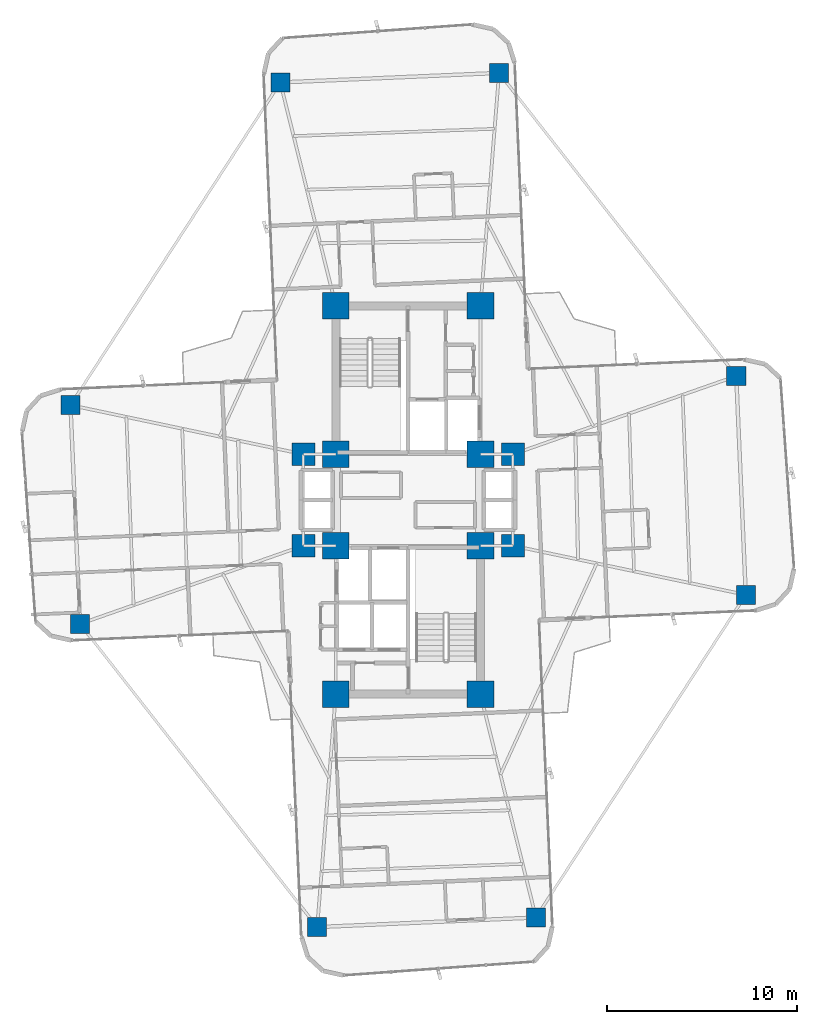
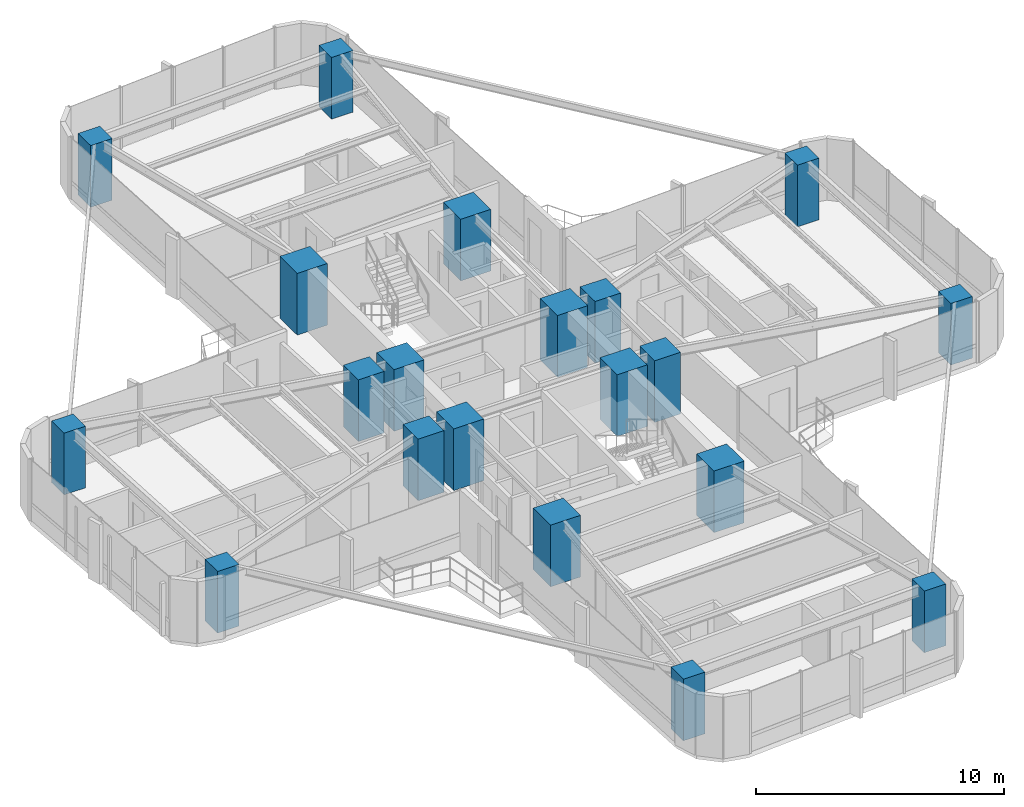
# One storey, part 1 of 26: 20 columns.
"""IFC4 building model written with IfcOpenShell, lengths in metres."""

from ifc_helpers import new_model, si_unit, direction, frame, origin, origin_2d, place, context, subcontext, project, spatial, rectangle, extrude, source, transform, mapped, material, material_profile, profile_set, type_object, element, save


model = new_model("IFC4")

# Units and contexts
model_context = context("Model", 3, precision=1e-05, world=origin(), true_north=direction((0.0, 1.0)))
body_context = subcontext(model_context, "Body", "Model", "MODEL_VIEW")
ifc_project = project(units=[si_unit("LENGTHUNIT", "METRE"), si_unit("AREAUNIT", "SQUARE_METRE"), si_unit("VOLUMEUNIT", "CUBIC_METRE"), si_unit("PLANEANGLEUNIT", "RADIAN"), si_unit("MASSUNIT", "GRAM", prefix="KILO")], contexts=[model_context])

# Site, building, storey
site_placement = place(None, origin())
site = spatial("IfcSite", under=ifc_project, at=site_placement, CompositionType="ELEMENT")
building_placement = place(site_placement, origin())
building = spatial("IfcBuilding", under=site, at=building_placement, Name="Sahyath Konkavel Grand Hotel", CompositionType="ELEMENT")
storey_placement = place(building_placement, frame((0.0, 0.0, 134.89990234375)))
storey = spatial("IfcBuildingStorey", under=building, at=storey_placement, Name="L37", CompositionType="ELEMENT", Elevation=134.89990234375)

# Columns
ifc_material_1 = material(Name="Concrete C70/85", Category="concrete")
ifc_material_profile_1 = material_profile(ifc_material_1, rectangle(XDim=1.39990234375, YDim=1.39990234375, at=origin_2d()), Name="RC 1400x1400")
ifc_profile_set_1 = profile_set([ifc_material_profile_1], Name="Concrete C70/85")
column_type_1 = type_object("IfcColumnType", Name="COL-RC1400", PredefinedType="COLUMN", material=ifc_profile_set_1)
shared_shape_1 = source(origin(), body_context, "Body", "SweptSolid", [
    extrude(rectangle(XDim=1.39990234375, YDim=1.39990234375, at=origin_2d()), origin(), (0.0, 0.0, 1.0), 3.030029296875),
])
for number, where, z_axis, x_axis, name in (
    (1, (-3.800048828125, 2.39990234375, 0.0), (0.0, 0.0, 1.0), (1.0, 0.0, 0.0), "L37 Core Boundary Column NC-SW"),
    (2, (3.800048828125, 2.39990234375, 0.0), (0.0, 0.0, 1.0), (1.0, 0.0, 0.0), "L37 Core Boundary Column NC-SE"),
    (3, (-3.800048828125, 10.199951171875, 0.0), (0.0, 0.0, 1.0), (1.0, 0.0, 0.0), "L37 Core Boundary Column NC-NW"),
    (4, (3.800048828125, 10.199951171875, 0.0), (0.0, 0.0, 1.0), (1.0, 0.0, 0.0), "L37 Core Boundary Column NC-NE"),
    (5, (-3.800048828125, -2.39990234375, 0.0), (0.0, 0.0, 1.0), (1.0, 0.0, 0.0), "L37 Core Boundary Column SC-NW"),
    (6, (3.800048828125, -2.39990234375, 0.0), (0.0, 0.0, 1.0), (1.0, 0.0, 0.0), "L37 Core Boundary Column SC-NE"),
    (7, (-3.800048828125, -10.199951171875, 0.0), (0.0, 0.0, 1.0), (1.0, 0.0, 0.0), "L37 Core Boundary Column SC-SW"),
    (8, (3.800048828125, -10.199951171875, 0.0), (0.0, 0.0, 1.0), (1.0, 0.0, 0.0), "L37 Core Boundary Column SC-SE"),
):
    element("IfcColumn", number, at=place(storey_placement, frame(where, z_axis=z_axis, x_axis=x_axis)), inside=storey, type_object=column_type_1, Name=name, PredefinedType="COLUMN", context=body_context, shape_type="MappedRepresentation", body=[
        mapped(shared_shape_1, transform((0.0, 0.0, 0.0), scale=1.0)),
    ])
ifc_material_2 = material(Name="Concrete C50/60", Category="concrete")
ifc_material_profile_2 = material_profile(ifc_material_2, rectangle(XDim=1.199951171875, YDim=1.199951171875, at=origin_2d()), Name="RC 1200x1200")
ifc_profile_set_2 = profile_set([ifc_material_profile_2], Name="Concrete C50/60")
column_type_2 = type_object("IfcColumnType", Name="COL-RC1200", PredefinedType="COLUMN", material=ifc_profile_set_2)
shared_shape_2 = source(origin(), body_context, "Body", "SweptSolid", [
    extrude(rectangle(XDim=1.199951171875, YDim=1.199951171875, at=origin_2d()), origin(), (0.0, 0.0, 1.0), 3.030029296875),
])
for number, where, z_axis, x_axis, name in (
    (9, (5.5, 2.39990234375, 0.0), (0.0, 0.0, 1.0), (1.0, 0.0, 0.0), "L37 Central Spine Column HB-NE"),
    (10, (-5.5, 2.39990234375, 0.0), (0.0, 0.0, 1.0), (1.0, 0.0, 0.0), "L37 Central Spine Column HB-NW"),
    (11, (5.5, -2.39990234375, 0.0), (0.0, 0.0, 1.0), (1.0, 0.0, 0.0), "L37 Central Spine Column HB-SE"),
    (12, (-5.5, -2.39990234375, 0.0), (0.0, 0.0, 1.0), (1.0, 0.0, 0.0), "L37 Central Spine Column HB-SW"),
):
    element("IfcColumn", number, at=place(storey_placement, frame(where, z_axis=z_axis, x_axis=x_axis)), inside=storey, type_object=column_type_2, Name=name, PredefinedType="COLUMN", context=body_context, shape_type="MappedRepresentation", body=[
        mapped(shared_shape_2, transform((0.0, 0.0, 0.0), scale=1.0)),
    ])
ifc_material_profile_3 = material_profile(ifc_material_2, rectangle(XDim=1.0, YDim=1.0, at=origin_2d()), Name="RC 1000x1000")
ifc_profile_set_3 = profile_set([ifc_material_profile_3], Name="Concrete C50/60")
column_type_3 = type_object("IfcColumnType", Name="COL-RC1000", PredefinedType="COLUMN", material=ifc_profile_set_3)
shared_shape_3 = source(origin(), body_context, "Body", "SweptSolid", [
    extrude(rectangle(XDim=1.0, YDim=1.0, at=origin_2d()), origin(), (0.0, 0.0, 1.0), 3.030029296875),
])
for number, where, z_axis, x_axis, name in (
    (13, (17.734130859375, -4.981201171875, 0.0), (0.0, 0.0, 1.0), (1.0, 0.0, 0.0), "L37 Cruciform Wing Column WC-EA"),
    (14, (17.232421875, 6.5078125, 0.0), (0.0, 0.0, 1.0), (1.0, 0.0, 0.0), "L37 Cruciform Wing Column WC-EB"),
    (15, (4.776123046875, 22.4296875, 0.0), (0.0, 0.0, 1.0), (1.0, 0.0, 0.0), "L37 Cruciform Wing Column WC-NA"),
    (16, (-6.712890625, 21.927978515625, 0.0), (0.0, 0.0, 1.0), (1.0, 0.0, 0.0), "L37 Cruciform Wing Column WC-NB"),
    (17, (-17.734130859375, 4.981201171875, 0.0), (0.0, 0.0, 1.0), (1.0, 0.0, 0.0), "L37 Cruciform Wing Column WC-WA"),
    (18, (-17.232421875, -6.5078125, 0.0), (0.0, 0.0, 1.0), (1.0, 0.0, 0.0), "L37 Cruciform Wing Column WC-WB"),
    (19, (-4.776123046875, -22.4296875, 0.0), (0.0, 0.0, 1.0), (1.0, 0.0, 0.0), "L37 Cruciform Wing Column WC-SA"),
    (20, (6.712890625, -21.927978515625, 0.0), (0.0, 0.0, 1.0), (1.0, 0.0, 0.0), "L37 Cruciform Wing Column WC-SB"),
):
    element("IfcColumn", number, at=place(storey_placement, frame(where, z_axis=z_axis, x_axis=x_axis)), inside=storey, type_object=column_type_3, Name=name, PredefinedType="COLUMN", context=body_context, shape_type="MappedRepresentation", body=[
        mapped(shared_shape_3, transform((0.0, 0.0, 0.0), scale=1.0)),
    ])

save(model, "model.ifc")
